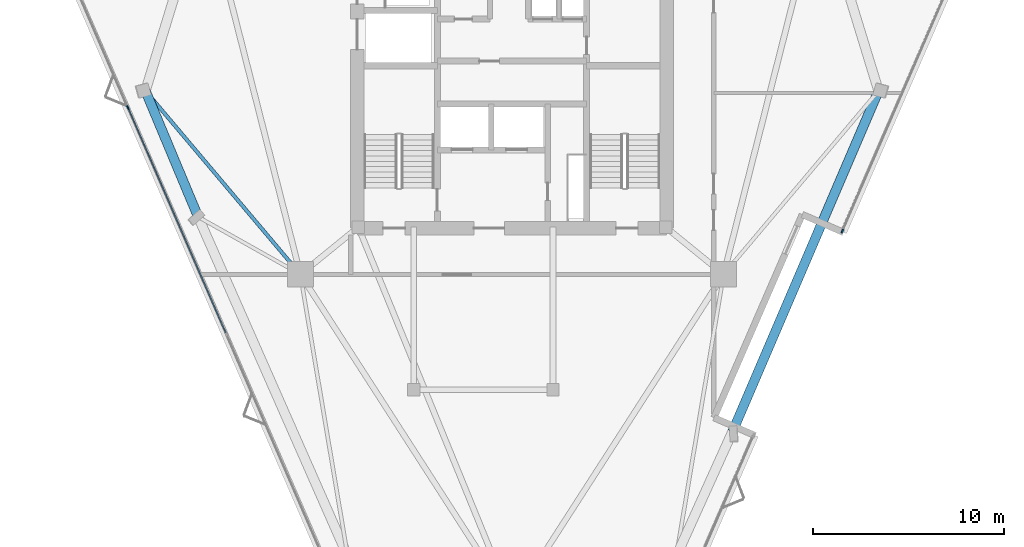
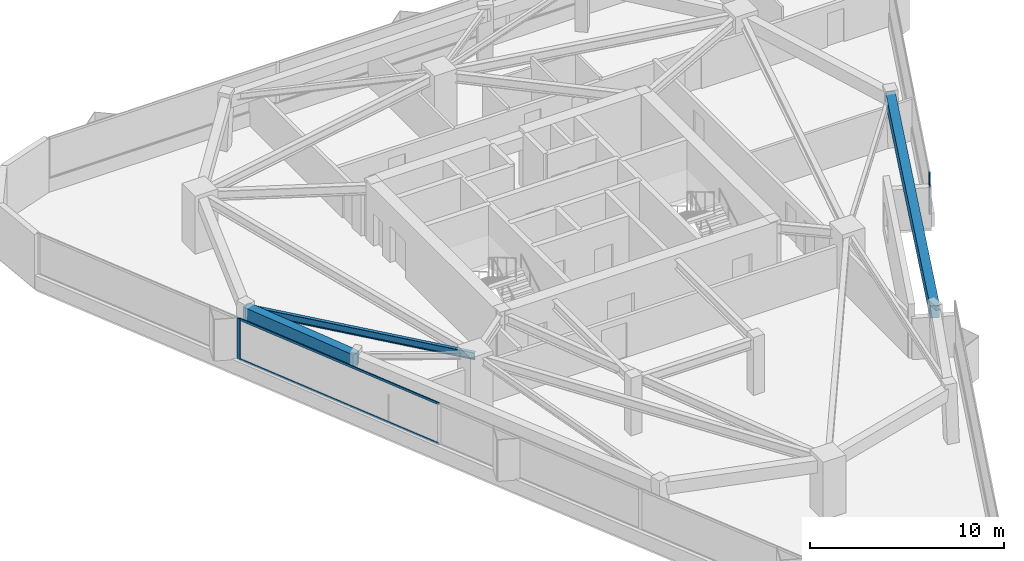
# One storey, part 3 of 10: 4 members, 3 beams, 2 elements without a shape of their own.
"""IFC4 building model written with IfcOpenShell, lengths in metres."""

from ifc_helpers import new_model, si_unit, direction, frame, origin, origin_2d, place, context, subcontext, project, spatial, rectangle, i_section, extrude, material, layer, layer_set, material_profile, profile_set, type_object, element, aggregate, save


model = new_model("IFC4")

# Units and contexts
model_context = context("Model", 3, precision=1e-05, world=origin(), true_north=direction((0.0, 1.0)))
body_context = subcontext(model_context, "Body", "Model", "MODEL_VIEW")
ifc_project = project(units=[si_unit("LENGTHUNIT", "METRE"), si_unit("AREAUNIT", "SQUARE_METRE"), si_unit("VOLUMEUNIT", "CUBIC_METRE"), si_unit("PLANEANGLEUNIT", "RADIAN"), si_unit("MASSUNIT", "GRAM", prefix="KILO")], contexts=[model_context])

# Site, building, storey
site_placement = place(None, origin())
site = spatial("IfcSite", under=ifc_project, at=site_placement, CompositionType="ELEMENT")
building_placement = place(site_placement, origin())
building = spatial("IfcBuilding", under=site, at=building_placement, Name="Talyreon Biosciences Tower", CompositionType="ELEMENT")
storey_placement = place(building_placement, frame((0.0, 0.0, 204.949951171875)))
storey = spatial("IfcBuildingStorey", under=building, at=storey_placement, Name="L54", CompositionType="ELEMENT", Elevation=204.949951171875)

# Curtain wall, member
ifc_material_1 = material(Name="Thermally broken aluminium and low-E glazing", Category="aluminium")
ifc_layer = layer(ifc_material_1, 0.205078125)
ifc_layer_set = layer_set([ifc_layer], Name="Thermally broken aluminium and low-E glazing")
curtain_wall_type = type_object("IfcCurtainWallType", Name="CurtainWall_SkyGardenLoggia", PredefinedType="NOTDEFINED", material=ifc_layer_set)
curtain_wall_1_placement = place(storey_placement, origin())
curtain_wall_1 = element("IfcCurtainWall", 1, at=curtain_wall_1_placement, inside=storey, type_object=curtain_wall_type, Name="L54 Unitised Curtain Wall FCW-L54-07", PredefinedType="NOTDEFINED")
ifc_material_2 = material(Name="Anodised thermally broken aluminium", Category="aluminium")
ifc_material_profile_1 = material_profile(ifc_material_2, rectangle(XDim=0.074951171875, YDim=0.2099609375, at=origin_2d()), Name="ALUM MULLION 75x210")
ifc_profile_set_1 = profile_set([ifc_material_profile_1], Name="Anodised thermally broken aluminium")
member_type_1 = type_object("IfcMemberType", Name="CWMullion_75x210", PredefinedType="MULLION", material=ifc_profile_set_1)
member_1_placement = place(storey_placement, frame((83.30517578125, 61.140625, 0.81005859375), z_axis=(0.0, 0.0, 1.0), x_axis=(0.91711290669, -0.398627540924, 0.0)))
member_1 = element("IfcMember", 2, at=member_1_placement, type_object=member_type_1, Name="CW7 mullion 2", PredefinedType="MULLION", context=body_context, shape_type="SweptSolid", body=[
    extrude(rectangle(XDim=0.074951171875, YDim=0.2099609375, at=origin_2d()), origin(), (0.0, 0.0, 1.0), 2.590087890625),
])
aggregate(curtain_wall_1, [member_1])

# Curtain wall, members
curtain_wall_2_placement = place(storey_placement, origin())
curtain_wall_2 = element("IfcCurtainWall", 3, at=curtain_wall_2_placement, inside=storey, type_object=curtain_wall_type, Name="L54 Unitised Curtain Wall FCW-L54-15", PredefinedType="NOTDEFINED")
member_2_placement = place(storey_placement, frame((45.88037109375, 67.61572265625, 0.81005859375), z_axis=(0.0, 0.0, 1.0), x_axis=(-0.917113439943, -0.398626314079, 0.0)))
member_2 = element("IfcMember", 4, at=member_2_placement, type_object=member_type_1, Name="CW7 mullion 4", PredefinedType="MULLION", context=body_context, shape_type="SweptSolid", body=[
    extrude(rectangle(XDim=0.074951171875, YDim=0.2099609375, at=origin_2d()), origin(), (0.0, 0.0, 1.0), 2.590087890625),
])
ifc_material_profile_2 = material_profile(ifc_material_2, rectangle(XDim=0.06494140625, YDim=0.139892578125, at=origin_2d()), Name="ALUM TRANSOM 65x140")
ifc_profile_set_2 = profile_set([ifc_material_profile_2], Name="Anodised thermally broken aluminium")
member_type_2 = type_object("IfcMemberType", Name="CWTransom_65x140", PredefinedType="USERDEFINED", material=ifc_profile_set_2)
member_3_placement = place(storey_placement, frame((51.0068359375, 55.821533203125, 0.842529296875), z_axis=(-0.398636298553, 0.917109100095, 0.0), x_axis=(-0.917109100095, -0.398636298553, 0.0)))
member_3 = element("IfcMember", 5, at=member_3_placement, type_object=member_type_2, Name="CW7 transom 3.1", ObjectType="TRANSOM", PredefinedType="USERDEFINED", context=body_context, shape_type="SweptSolid", body=[
    extrude(rectangle(XDim=0.06494140625, YDim=0.139892578125, at=origin_2d()), origin(), (0.0, 0.0, 1.0), 12.82275390625),
])
member_4_placement = place(storey_placement, frame((51.0068359375, 55.821533203125, 3.367431640625), z_axis=(-0.398636298553, 0.917109100095, 0.0), x_axis=(-0.917109100095, -0.398636298553, 0.0)))
member_4 = element("IfcMember", 6, at=member_4_placement, type_object=member_type_2, Name="CW7 transom 3.2", ObjectType="TRANSOM", PredefinedType="USERDEFINED", context=body_context, shape_type="SweptSolid", body=[
    extrude(rectangle(XDim=0.06494140625, YDim=0.139892578125, at=origin_2d()), origin(), (0.0, 0.0, 1.0), 12.82275390625),
])
aggregate(curtain_wall_2, [member_2, member_3, member_4])

# Beams
ifc_material_3 = material(Name="Precast concrete C45/55", Category="concrete")
ifc_material_profile_3 = material_profile(ifc_material_3, rectangle(XDim=0.5, YDim=0.780029296875, at=origin_2d()), Name="RCB 500x780")
ifc_profile_set_3 = profile_set([ifc_material_profile_3], Name="Precast concrete C45/55")
beam_type_1 = type_object("IfcBeamType", Name="ExpressedSpandrel_500x780", PredefinedType="SPANDREL", material=ifc_profile_set_3)
beam_1_placement = place(storey_placement, frame((77.54931640625, 50.6357421875, 3.010009765625), z_axis=(0.393823753279, 0.919185972126, 0.0), x_axis=(-0.919185972126, 0.393823753279, 0.0)))
element("IfcBeam", 7, at=beam_1_placement, inside=storey, type_object=beam_type_1, Name="L54 Expressed Horizontal Concrete Spandrel 03", PredefinedType="SPANDREL", context=body_context, shape_type="SweptSolid", body=[
    extrude(rectangle(XDim=0.5, YDim=0.780029296875, at=origin_2d()), origin(), (0.0, 0.0, 1.0), 19.428955078125),
])
beam_2_placement = place(storey_placement, frame((46.799072265625, 68.49462890625, 3.010009765625), z_axis=(0.385687903425, -0.922629308635, 0.0), x_axis=(0.922629308635, 0.385687903425, 0.0)))
element("IfcBeam", 8, at=beam_2_placement, inside=storey, type_object=beam_type_1, Name="L54 Expressed Horizontal Concrete Spandrel 10", PredefinedType="SPANDREL", context=body_context, shape_type="SweptSolid", body=[
    extrude(rectangle(XDim=0.5, YDim=0.780029296875, at=origin_2d()), origin(), (0.0, 0.0, 1.0), 7.15869140625),
])
ifc_material_4 = material(Name="Steel SM355", Category="steel")
ifc_material_profile_4 = material_profile(ifc_material_4, i_section(OverallWidth=0.18994140625, OverallDepth=0.449951171875, WebThickness=0.009521484375, FlangeThickness=0.0146484375, FilletRadius=0.02099609375, at=origin_2d()), Name="IPE450")
ifc_profile_set_4 = profile_set([ifc_material_profile_4], Name="Steel SM355")
beam_type_2 = type_object("IfcBeamType", Name="SteelJoist_IPE450", PredefinedType="JOIST", material=ifc_profile_set_4)
beam_3_placement = place(storey_placement, frame((54.913818359375, 58.88037109375, 3.175048828125), z_axis=(-0.644997037926, 0.764185069906, 0.0), x_axis=(-0.764185069906, -0.644997037926, 0.0)))
element("IfcBeam", 9, at=beam_3_placement, inside=storey, type_object=beam_type_2, Name="L54 Radial Composite Floor Joist PC-SW1", PredefinedType="JOIST", context=body_context, shape_type="SweptSolid", body=[
    extrude(i_section(OverallWidth=0.18994140625, OverallDepth=0.449951171875, WebThickness=0.009521484375, FlangeThickness=0.0146484375, FilletRadius=0.02099609375, at=origin_2d()), origin(), (0.0, 0.0, 1.0), 12.5810546875),
])

save(model, "model.ifc")
